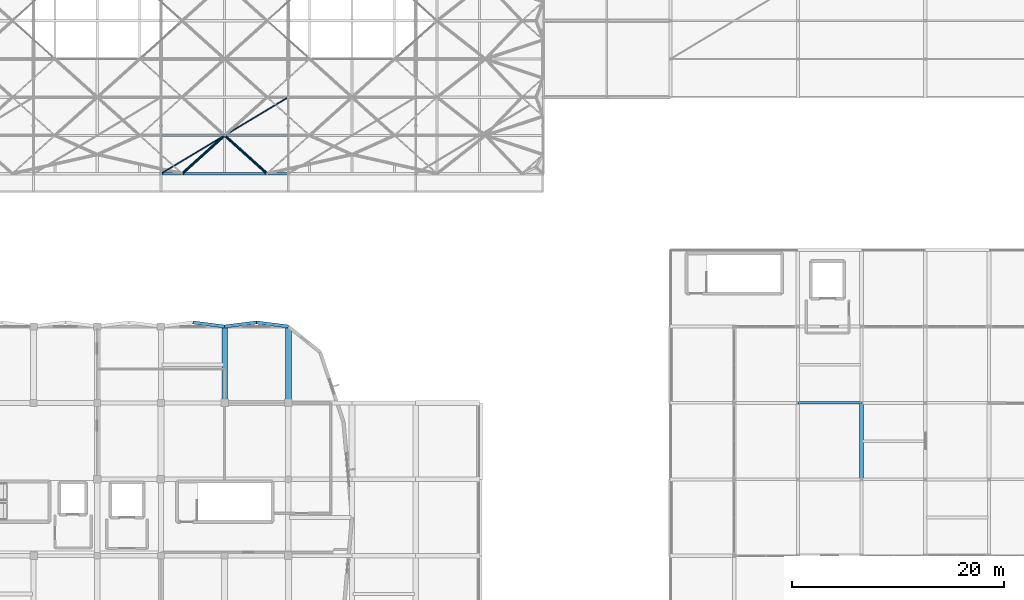
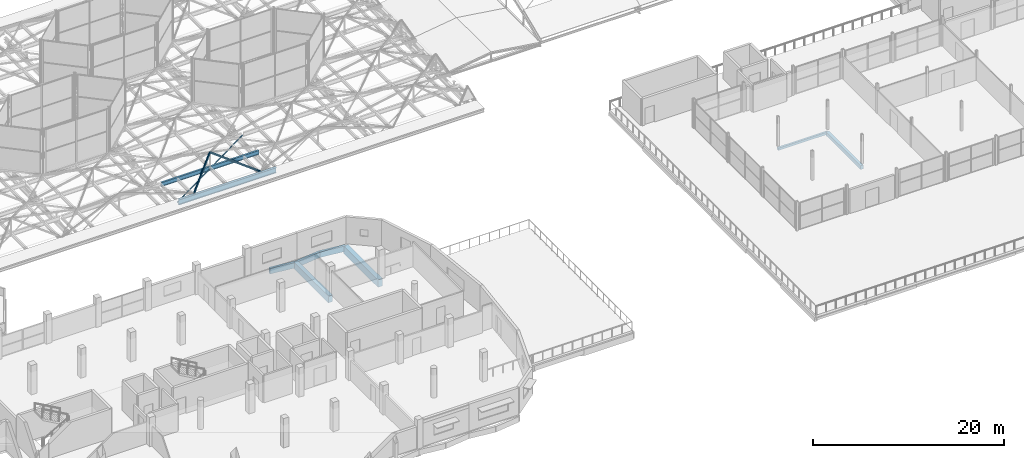
# One storey, part 34 of 239: 9 beams, 3 members.
"""IFC4 building model written with IfcOpenShell, lengths in metres."""

from ifc_helpers import new_model, si_unit, direction, frame, origin, origin_2d, place, context, subcontext, project, spatial, rectangle, hollow_circle, i_section, extrude, material, material_profile, profile_set, type_object, element, save


model = new_model("IFC4")

# Units and contexts
model_context = context("Model", 3, precision=1e-05, world=origin(), true_north=direction((0.0, 1.0)))
body_context = subcontext(model_context, "Body", "Model", "MODEL_VIEW")
ifc_project = project(units=[si_unit("LENGTHUNIT", "METRE"), si_unit("AREAUNIT", "SQUARE_METRE"), si_unit("VOLUMEUNIT", "CUBIC_METRE"), si_unit("PLANEANGLEUNIT", "RADIAN"), si_unit("MASSUNIT", "GRAM", prefix="KILO")], contexts=[model_context])

# Site, building, storey
site_placement = place(None, origin())
site = spatial("IfcSite", under=ifc_project, at=site_placement, CompositionType="ELEMENT")
building_placement = place(site_placement, origin())
building = spatial("IfcBuilding", under=site, at=building_placement, Name="Dunvalen Ferry Terminal", CompositionType="ELEMENT")
storey_placement = place(building_placement, frame((0.0, 0.0, 9.840087890625)))
storey = spatial("IfcBuildingStorey", under=building, at=storey_placement, Name="L02", CompositionType="ELEMENT", Elevation=9.840087890625)

# Beams
ifc_material_1 = material(Name="Concrete C35/45", Category="concrete")
ifc_material_profile_1 = material_profile(ifc_material_1, rectangle(XDim=0.35009765625, YDim=0.5, at=origin_2d()), Name="Concrete C35/45")
ifc_profile_set_1 = profile_set([ifc_material_profile_1], Name="Concrete C35/45")
beam_type_1 = type_object("IfcBeamType", Name="STR-BM-RCB500W", PredefinedType="JOIST", material=ifc_profile_set_1)
beam_1_placement = place(storey_placement, frame((126.0, 21.60009765625, -0.530029296875), z_axis=(0.0, 1.0, 0.0), x_axis=(-1.0, 0.0, 0.0)))
element("IfcBeam", 1, at=beam_1_placement, inside=storey, type_object=beam_type_1, Name="L02 V4 Primary Girder Y-083", PredefinedType="JOIST", context=body_context, shape_type="SweptSolid", body=[
    extrude(rectangle(XDim=0.35009765625, YDim=0.5, at=origin_2d()), origin(), (0.0, 0.0, 1.0), 7.199951171875),
])
ifc_material_2 = material(Name="Concrete C40/50", Category="concrete")
ifc_material_profile_2 = material_profile(ifc_material_2, rectangle(XDim=0.5, YDim=0.85009765625, at=origin_2d()), Name="Concrete C40/50")
ifc_profile_set_2 = profile_set([ifc_material_profile_2], Name="Concrete C40/50")
beam_type_2 = type_object("IfcBeamType", Name="STR-BM-RCG850", PredefinedType="BEAM", material=ifc_profile_set_2)
beam_2_placement = place(storey_placement, frame((66.0, 28.800048828125, -0.68505859375), z_axis=(0.0, 1.0, 0.0), x_axis=(-1.0, 0.0, 0.0)))
element("IfcBeam", 2, at=beam_2_placement, inside=storey, type_object=beam_type_2, Name="L02 V5P0 Primary Girder Y-091", PredefinedType="BEAM", context=body_context, shape_type="SweptSolid", body=[
    extrude(rectangle(XDim=0.5, YDim=0.85009765625, at=origin_2d()), origin(), (0.0, 0.0, 1.0), 7.199951171875),
])
ifc_material_profile_3 = material_profile(ifc_material_2, rectangle(XDim=0.550048828125, YDim=0.949951171875, at=origin_2d()), Name="Concrete C40/50")
ifc_profile_set_3 = profile_set([ifc_material_profile_3], Name="Concrete C40/50")
beam_type_3 = type_object("IfcBeamType", Name="STR-BM-RCG950", PredefinedType="BEAM", material=ifc_profile_set_3)
beam_3_placement = place(storey_placement, frame((72.0, 28.800048828125, -0.735107421875), z_axis=(0.0, 1.0, 0.0), x_axis=(-1.0, 0.0, 0.0)))
element("IfcBeam", 3, at=beam_3_placement, inside=storey, type_object=beam_type_3, Name="L02 V5P0 Primary Girder Y-096", PredefinedType="BEAM", context=body_context, shape_type="SweptSolid", body=[
    extrude(rectangle(XDim=0.550048828125, YDim=0.949951171875, at=origin_2d()), origin(), (0.0, 0.0, 1.0), 7.199951171875),
])
ifc_material_profile_4 = material_profile(ifc_material_1, rectangle(XDim=0.25, YDim=0.300048828125, at=origin_2d()), Name="Concrete C35/45")
ifc_profile_set_4 = profile_set([ifc_material_profile_4], Name="Concrete C35/45")
beam_type_4 = type_object("IfcBeamType", Name="STR-BM-RCL300", PredefinedType="LINTEL", material=ifc_profile_set_4)
beam_4_placement = place(storey_placement, frame((120.0, 28.800048828125, -0.43017578125), z_axis=(1.0, 0.0, 0.0), x_axis=(0.0, 1.0, 0.0)))
element("IfcBeam", 4, at=beam_4_placement, inside=storey, type_object=beam_type_4, Name="L02 V4 Primary Beam X-039", PredefinedType="LINTEL", context=body_context, shape_type="SweptSolid", body=[
    extrude(rectangle(XDim=0.25, YDim=0.300048828125, at=origin_2d()), origin(), (0.0, 0.0, 1.0), 6.0),
])
ifc_material_profile_5 = material_profile(ifc_material_2, rectangle(XDim=0.300048828125, YDim=0.699951171875, at=origin_2d()), Name="Concrete C40/50")
ifc_profile_set_5 = profile_set([ifc_material_profile_5], Name="Concrete C40/50")
beam_type_5 = type_object("IfcBeamType", Name="STR-BM-RCSP700", PredefinedType="SPANDREL", material=ifc_profile_set_5)
for number, where, z_axis, x_axis, name in (
    (5, (63.0, 36.3798828125, -0.610107421875), (0.992077869489, -0.12562444376, 0.0), (0.12562444376, 0.992077869489, 0.0), "L02 Passage Pilaster Spandrel Tie 09.2"),
    (6, (66.0, 36.0, -0.610107421875), (0.992077869489, 0.12562444376, 0.0), (-0.12562444376, 0.992077869489, 0.0), "L02 Passage Pilaster Spandrel Tie 10.1"),
    (7, (69.0, 36.3798828125, -0.610107421875), (0.992077869489, -0.12562444376, 0.0), (0.12562444376, 0.992077869489, 0.0), "L02 Passage Pilaster Spandrel Tie 10.2"),
):
    element("IfcBeam", number, at=place(storey_placement, frame(where, z_axis=z_axis, x_axis=x_axis)), inside=storey, type_object=beam_type_5, Name=name, PredefinedType="SPANDREL", context=body_context, shape_type="SweptSolid", body=[
        extrude(rectangle(XDim=0.300048828125, YDim=0.699951171875, at=origin_2d()), origin(), (0.0, 0.0, 1.0), 3.02392578125),
    ])
ifc_material_3 = material(Name="Steel S355", Category="steel")
ifc_material_profile_6 = material_profile(ifc_material_3, i_section(OverallWidth=0.209228515625, OverallDepth=0.533203125, WebThickness=0.010009765625, FlangeThickness=0.015625, FilletRadius=0.0126953125, at=origin_2d()), Name="Steel S355")
ifc_profile_set_6 = profile_set([ifc_material_profile_6], Name="Steel S355")
beam_type_6 = type_object("IfcBeamType", Name="STR-BM-UKB533", PredefinedType="BEAM", material=ifc_profile_set_6)
beam_5_placement = place(storey_placement, frame((60.10009765625, 54.0, 0.7333984375), z_axis=(1.0, 0.0, 0.0), x_axis=(0.0, 1.0, 0.0)))
element("IfcBeam", 8, at=beam_5_placement, inside=storey, type_object=beam_type_6, Name="Departure Hall Spine Girder B5.02", PredefinedType="BEAM", context=body_context, shape_type="SweptSolid", body=[
    extrude(i_section(OverallWidth=0.209228515625, OverallDepth=0.533203125, WebThickness=0.010009765625, FlangeThickness=0.015625, FilletRadius=0.0126953125, at=origin_2d()), origin(), (0.0, 0.0, 1.0), 11.7998046875),
])
ifc_material_profile_7 = material_profile(ifc_material_3, i_section(OverallWidth=0.253662109375, OverallDepth=0.68359375, WebThickness=0.012451171875, FlangeThickness=0.01904296875, FilletRadius=0.01513671875, at=origin_2d()), Name="Steel S355")
ifc_profile_set_7 = profile_set([ifc_material_profile_7], Name="Steel S355")
beam_type_7 = type_object("IfcBeamType", Name="STR-BM-UKB686", PredefinedType="BEAM", material=ifc_profile_set_7)
beam_6_placement = place(storey_placement, frame((60.10009765625, 50.39990234375, 0.658203125), z_axis=(1.0, 0.0, 0.0), x_axis=(0.0, 1.0, 0.0)))
element("IfcBeam", 9, at=beam_6_placement, inside=storey, type_object=beam_type_7, Name="Departure Hall Spine Girder B5.01", PredefinedType="BEAM", context=body_context, shape_type="SweptSolid", body=[
    extrude(i_section(OverallWidth=0.253662109375, OverallDepth=0.68359375, WebThickness=0.012451171875, FlangeThickness=0.01904296875, FilletRadius=0.01513671875, at=origin_2d()), origin(), (0.0, 0.0, 1.0), 11.7998046875),
])

# Members
ifc_material_profile_8 = material_profile(ifc_material_3, hollow_circle(Radius=0.06982421875, WallThickness=0.00634765625, at=origin_2d()), Name="Steel S355")
ifc_profile_set_8 = profile_set([ifc_material_profile_8], Name="Steel S355")
member_type_1 = type_object("IfcMemberType", Name="STR-MB-CHS139", PredefinedType="BRACE", material=ifc_profile_set_8)
member_placement = place(storey_placement, frame((60.0, 50.39990234375, 0.659912109375), z_axis=(0.857486768376, 0.514506017516, 0.0), x_axis=(-0.514506017516, 0.857486768376, 0.0)))
element("IfcMember", 10, at=member_placement, inside=storey, type_object=member_type_1, Name="Departure Hall Roof Wind Brace 5A", PredefinedType="BRACE", context=body_context, shape_type="SweptSolid", body=[
    extrude(hollow_circle(Radius=0.06982421875, WallThickness=0.00634765625, at=origin_2d()), origin(), (0.0, 0.0, 1.0), 13.994384765625),
])
ifc_material_profile_9 = material_profile(ifc_material_3, hollow_circle(Radius=0.122314453125, WallThickness=0.010009765625, at=origin_2d()), Name="Steel S355")
ifc_profile_set_9 = profile_set([ifc_material_profile_9], Name="Steel S355")
member_type_2 = type_object("IfcMemberType", Name="STR-MB-CHS244", PredefinedType="STRUT", material=ifc_profile_set_9)
for number, where, z_axis, x_axis, name in (
    (11, (62.0, 50.39990234375, 1.099853515625), (0.710074680578, 0.639084548328, 0.295575520114), (-0.668974757313, 0.743285123004, 0.0), "HEX-29 Pyramid Hip Rafter 2"),
    (12, (70.0, 50.39990234375, 1.099853515625), (-0.710074680578, 0.639084548328, 0.295575520114), (-0.668974757313, -0.743285123004, 0.0), "HEX-29 Pyramid Hip Rafter 3"),
):
    element("IfcMember", number, at=place(storey_placement, frame(where, z_axis=z_axis, x_axis=x_axis)), inside=storey, type_object=member_type_2, Name=name, PredefinedType="STRUT", context=body_context, shape_type="SweptSolid", body=[
        extrude(hollow_circle(Radius=0.122314453125, WallThickness=0.010009765625, at=origin_2d()), origin(), (0.0, 0.0, 1.0), 5.63330078125),
    ])

save(model, "model.ifc")
